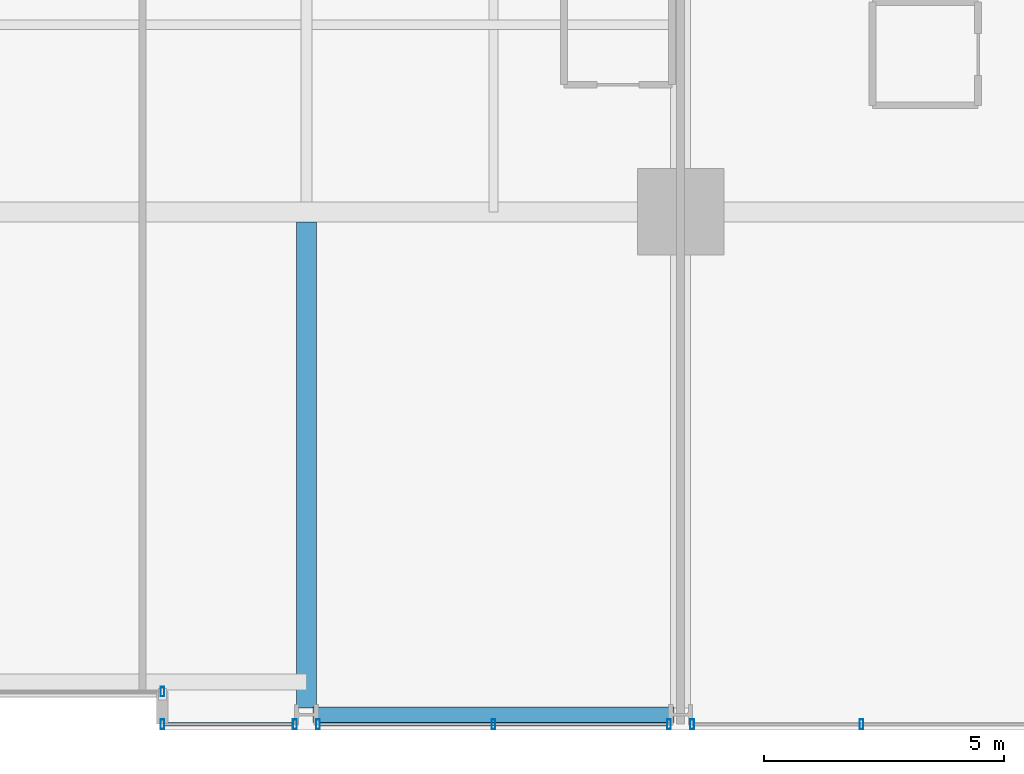
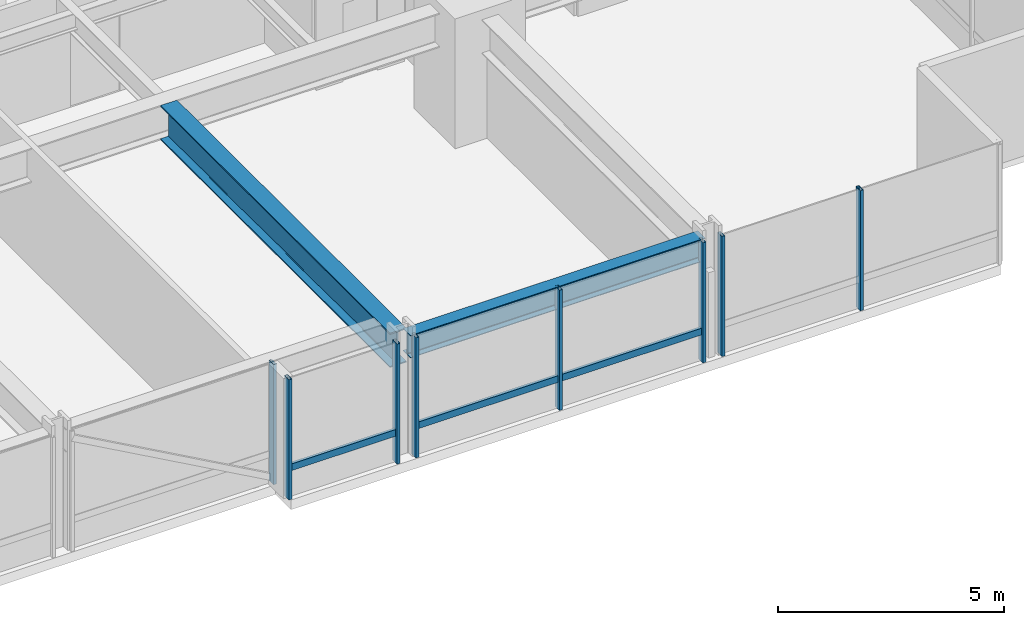
# One storey, part 11 of 37: 10 members, 2 beams, 4 elements without a shape of their own.
"""IFC4 building model written with IfcOpenShell, lengths in metres."""

from ifc_helpers import new_model, si_unit, direction, frame, origin, origin_2d, place, context, subcontext, project, spatial, hollow_rectangle, i_section, extrude, material, layer, layer_set, material_profile, profile_set, type_object, element, aggregate, save


model = new_model("IFC4")

# Units and contexts
model_context = context("Model", 3, precision=1e-05, world=origin(), true_north=direction((0.0, 1.0)))
body_context = subcontext(model_context, "Body", "Model", "MODEL_VIEW")
ifc_project = project(units=[si_unit("LENGTHUNIT", "METRE"), si_unit("AREAUNIT", "SQUARE_METRE"), si_unit("VOLUMEUNIT", "CUBIC_METRE"), si_unit("PLANEANGLEUNIT", "RADIAN"), si_unit("MASSUNIT", "GRAM", prefix="KILO")], contexts=[model_context])

# Site, building, storey
site_placement = place(None, origin())
site = spatial("IfcSite", under=ifc_project, at=site_placement, CompositionType="ELEMENT")
building_placement = place(site_placement, origin())
building = spatial("IfcBuilding", under=site, at=building_placement, Name="Drelvath Grand Hotel", CompositionType="ELEMENT")
storey_placement = place(building_placement, frame((0.0, 0.0, 43.699951171875)))
storey = spatial("IfcBuildingStorey", under=building, at=storey_placement, Name="L09", CompositionType="ELEMENT", Elevation=43.699951171875)

# Curtain wall, member
ifc_material_1 = material(Name="Warm Bronze Anodised Aluminium Frame", Category="aluminium")
ifc_layer = layer(ifc_material_1, 0.199951171875)
ifc_layer_set = layer_set([ifc_layer], Name="Warm Bronze Anodised Aluminium Frame")
curtain_wall_type = type_object("IfcCurtainWallType", Name="Stick Curtain Wall CW-02 Warm Bronze Low-Rise", PredefinedType="NOTDEFINED", material=ifc_layer_set)
curtain_wall_1_placement = place(storey_placement, origin())
curtain_wall_1 = element("IfcCurtainWall", 1, at=curtain_wall_1_placement, inside=storey, type_object=curtain_wall_type, Name="L09 CW-02 Curtain Wall CW02-L09-SE1", PredefinedType="NOTDEFINED")
ifc_material_profile_1 = material_profile(ifc_material_1, hollow_rectangle(XDim=0.074951171875, YDim=0.179931640625, WallThickness=0.0048828125, at=origin_2d()), Name="HSS180X75X5")
ifc_profile_set_1 = profile_set([ifc_material_profile_1], Name="Warm Bronze Anodised Aluminium Frame")
member_type_1 = type_object("IfcMemberType", Name="Curtain Wall Horizontal Transom CW-02 HSS180X75X5", PredefinedType="USERDEFINED", material=ifc_profile_set_1)
member_1_placement = place(storey_placement, frame((8.119140625, 0.1201171875, 0.81005859375), z_axis=(-1.0, 0.0, 0.0), x_axis=(0.0, -1.0, 0.0)))
member_1 = element("IfcMember", 2, at=member_1_placement, type_object=member_type_1, Name="CW02-L09-SE1 Sill Transom", ObjectType="TRANSOM", PredefinedType="USERDEFINED", context=body_context, shape_type="SweptSolid", body=[
    extrude(hollow_rectangle(XDim=0.074951171875, YDim=0.179931640625, WallThickness=0.0048828125, at=origin_2d()), origin(), (0.0, 0.0, 1.0), 2.67919921875),
])

curtain_wall_2_placement = place(storey_placement, origin())
curtain_wall_2 = element("IfcCurtainWall", 3, at=curtain_wall_2_placement, inside=storey, type_object=curtain_wall_type, Name="L09 CW-02 Curtain Wall CW02-L09-SE2", PredefinedType="NOTDEFINED")
member_2_placement = place(storey_placement, frame((15.919189453125, 0.1201171875, 0.81005859375), z_axis=(-1.0, 0.0, 0.0), x_axis=(0.0, -1.0, 0.0)))
member_2 = element("IfcMember", 4, at=member_2_placement, type_object=member_type_1, Name="CW02-L09-SE2 Sill Transom", ObjectType="TRANSOM", PredefinedType="USERDEFINED", context=body_context, shape_type="SweptSolid", body=[
    extrude(hollow_rectangle(XDim=0.074951171875, YDim=0.179931640625, WallThickness=0.0048828125, at=origin_2d()), origin(), (0.0, 0.0, 1.0), 7.23828125),
])

# Member
ifc_material_profile_2 = material_profile(ifc_material_1, hollow_rectangle(XDim=0.080078125, YDim=0.199951171875, WallThickness=0.0048828125, at=origin_2d()), Name="HSS200X80X5")
ifc_profile_set_2 = profile_set([ifc_material_profile_2], Name="Warm Bronze Anodised Aluminium Frame")
member_type_2 = type_object("IfcMemberType", Name="Curtain Wall Vertical Mullion CW-02 HSS200X80X5", PredefinedType="MULLION", material=ifc_profile_set_2)
member_3_placement = place(storey_placement, frame((8.1591796875, 0.1201171875, 0.0), z_axis=(0.0, 0.0, 1.0), x_axis=(1.0, 0.0, 0.0)))
member_3 = element("IfcMember", 5, at=member_3_placement, type_object=member_type_2, Name="CW02-L09-SE1 Mullion 1", PredefinedType="MULLION", context=body_context, shape_type="SweptSolid", body=[
    extrude(hollow_rectangle(XDim=0.080078125, YDim=0.199951171875, WallThickness=0.0048828125, at=origin_2d()), origin(), (0.0, 0.0, 1.0), 3.239990234375),
])

member_4_placement = place(storey_placement, frame((5.39990234375, 0.1201171875, 0.0), z_axis=(0.0, 0.0, 1.0), x_axis=(1.0, 0.0, 0.0)))
member_4 = element("IfcMember", 6, at=member_4_placement, type_object=member_type_2, Name="CW02-L09-SE1 Mullion 2", PredefinedType="MULLION", context=body_context, shape_type="SweptSolid", body=[
    extrude(hollow_rectangle(XDim=0.080078125, YDim=0.199951171875, WallThickness=0.0048828125, at=origin_2d()), origin(), (0.0, 0.0, 1.0), 3.239990234375),
])

aggregate(curtain_wall_1, [member_3, member_4, member_1])

member_5_placement = place(storey_placement, frame((15.958984375, 0.1201171875, 0.0), z_axis=(0.0, 0.0, 1.0), x_axis=(1.0, 0.0, 0.0)))
member_5 = element("IfcMember", 7, at=member_5_placement, type_object=member_type_2, Name="CW02-L09-SE2 Mullion 1", PredefinedType="MULLION", context=body_context, shape_type="SweptSolid", body=[
    extrude(hollow_rectangle(XDim=0.080078125, YDim=0.199951171875, WallThickness=0.0048828125, at=origin_2d()), origin(), (0.0, 0.0, 1.0), 3.239990234375),
])

member_6_placement = place(storey_placement, frame((12.300048828125, 0.1201171875, 0.0), z_axis=(0.0, 0.0, 1.0), x_axis=(1.0, 0.0, 0.0)))
member_6 = element("IfcMember", 8, at=member_6_placement, type_object=member_type_2, Name="CW02-L09-SE2 Mullion 2", PredefinedType="MULLION", context=body_context, shape_type="SweptSolid", body=[
    extrude(hollow_rectangle(XDim=0.080078125, YDim=0.199951171875, WallThickness=0.0048828125, at=origin_2d()), origin(), (0.0, 0.0, 1.0), 3.239990234375),
])

member_7_placement = place(storey_placement, frame((8.640869140625, 0.1201171875, 0.0), z_axis=(0.0, 0.0, 1.0), x_axis=(1.0, 0.0, 0.0)))
member_7 = element("IfcMember", 9, at=member_7_placement, type_object=member_type_2, Name="CW02-L09-SE2 Mullion 3", PredefinedType="MULLION", context=body_context, shape_type="SweptSolid", body=[
    extrude(hollow_rectangle(XDim=0.080078125, YDim=0.199951171875, WallThickness=0.0048828125, at=origin_2d()), origin(), (0.0, 0.0, 1.0), 3.239990234375),
])

aggregate(curtain_wall_2, [member_5, member_6, member_7, member_2])

# Curtain wall, members
curtain_wall_3_placement = place(storey_placement, origin())
curtain_wall_3 = element("IfcCurtainWall", 10, at=curtain_wall_3_placement, inside=storey, type_object=curtain_wall_type, Name="L09 CW-02 Curtain Wall CW02-L09-SE3", PredefinedType="NOTDEFINED")
member_8_placement = place(storey_placement, frame((19.970458984375, 0.1201171875, 0.0), z_axis=(0.0, 0.0, 1.0), x_axis=(1.0, 0.0, 0.0)))
member_8 = element("IfcMember", 11, at=member_8_placement, type_object=member_type_2, Name="CW02-L09-SE3 Mullion 2", PredefinedType="MULLION", context=body_context, shape_type="SweptSolid", body=[
    extrude(hollow_rectangle(XDim=0.080078125, YDim=0.199951171875, WallThickness=0.0048828125, at=origin_2d()), origin(), (0.0, 0.0, 1.0), 3.239990234375),
])
member_9_placement = place(storey_placement, frame((16.44091796875, 0.1201171875, 0.0), z_axis=(0.0, 0.0, 1.0), x_axis=(1.0, 0.0, 0.0)))
member_9 = element("IfcMember", 12, at=member_9_placement, type_object=member_type_2, Name="CW02-L09-SE3 Mullion 3", PredefinedType="MULLION", context=body_context, shape_type="SweptSolid", body=[
    extrude(hollow_rectangle(XDim=0.080078125, YDim=0.199951171875, WallThickness=0.0048828125, at=origin_2d()), origin(), (0.0, 0.0, 1.0), 3.239990234375),
])
aggregate(curtain_wall_3, [member_8, member_9])

# Curtain wall, member
curtain_wall_4_placement = place(storey_placement, origin())
curtain_wall_4 = element("IfcCurtainWall", 13, at=curtain_wall_4_placement, inside=storey, type_object=curtain_wall_type, Name="L09 CW-02 Curtain Wall CW02-L09-SM2", PredefinedType="NOTDEFINED")
member_10_placement = place(storey_placement, frame((5.39990234375, 0.800048828125, 0.0), z_axis=(0.0, 0.0, 1.0), x_axis=(1.0, 0.0, 0.0)))
member_10 = element("IfcMember", 14, at=member_10_placement, type_object=member_type_2, Name="CW02-L09-SM2 Mullion 1", PredefinedType="MULLION", context=body_context, shape_type="SweptSolid", body=[
    extrude(hollow_rectangle(XDim=0.080078125, YDim=0.199951171875, WallThickness=0.0048828125, at=origin_2d()), origin(), (0.0, 0.0, 1.0), 3.239990234375),
])
aggregate(curtain_wall_4, [member_10])

# Beams
ifc_material_2 = material(Name="Steel ASTM A992 Gr 50", Category="steel")
ifc_material_profile_3 = material_profile(ifc_material_2, i_section(OverallWidth=0.323974609375, OverallDepth=0.611083984375, WebThickness=0.0126953125, FlangeThickness=0.01904296875, FilletRadius=0.02197265625, at=origin_2d()), Name="W24X104")
ifc_profile_set_3 = profile_set([ifc_material_profile_3], Name="Steel ASTM A992 Gr 50")
beam_type_1 = type_object("IfcBeamType", Name="Perimeter Spandrel Beam W24X104", PredefinedType="SPANDREL", material=ifc_profile_set_3)
beam_1_placement = place(storey_placement, frame((8.5400390625, 0.320068359375, 2.9345703125), z_axis=(1.0, 0.0, 0.0), x_axis=(0.0, 1.0, 0.0)))
element("IfcBeam", 15, at=beam_1_placement, inside=storey, type_object=beam_type_1, Name="L09 Spandrel South E", PredefinedType="SPANDREL", context=body_context, shape_type="SweptSolid", body=[
    extrude(i_section(OverallWidth=0.323974609375, OverallDepth=0.611083984375, WebThickness=0.0126953125, FlangeThickness=0.01904296875, FilletRadius=0.02197265625, at=origin_2d()), origin(), (0.0, 0.0, 1.0), 7.52001953125),
])
ifc_material_profile_4 = material_profile(ifc_material_2, i_section(OverallWidth=0.418212890625, OverallDepth=0.926513671875, WebThickness=0.019287109375, FlangeThickness=0.031982421875, FilletRadius=0.028076171875, at=origin_2d()), Name="W36X231")
ifc_profile_set_4 = profile_set([ifc_material_profile_4], Name="Steel ASTM A992 Gr 50")
beam_type_2 = type_object("IfcBeamType", Name="Primary Floor Girder W36X231", PredefinedType="BEAM", material=ifc_profile_set_4)
beam_2_placement = place(storey_placement, frame((8.39990234375, 0.4599609375, 2.77685546875), z_axis=(0.0, 1.0, 0.0), x_axis=(-1.0, 0.0, 0.0)))
element("IfcBeam", 16, at=beam_2_placement, inside=storey, type_object=beam_type_2, Name="L09 South Wing Girder 6", PredefinedType="BEAM", context=body_context, shape_type="SweptSolid", body=[
    extrude(i_section(OverallWidth=0.418212890625, OverallDepth=0.926513671875, WebThickness=0.019287109375, FlangeThickness=0.031982421875, FilletRadius=0.028076171875, at=origin_2d()), origin(), (0.0, 0.0, 1.0), 10.130859375),
])

save(model, "model.ifc")
